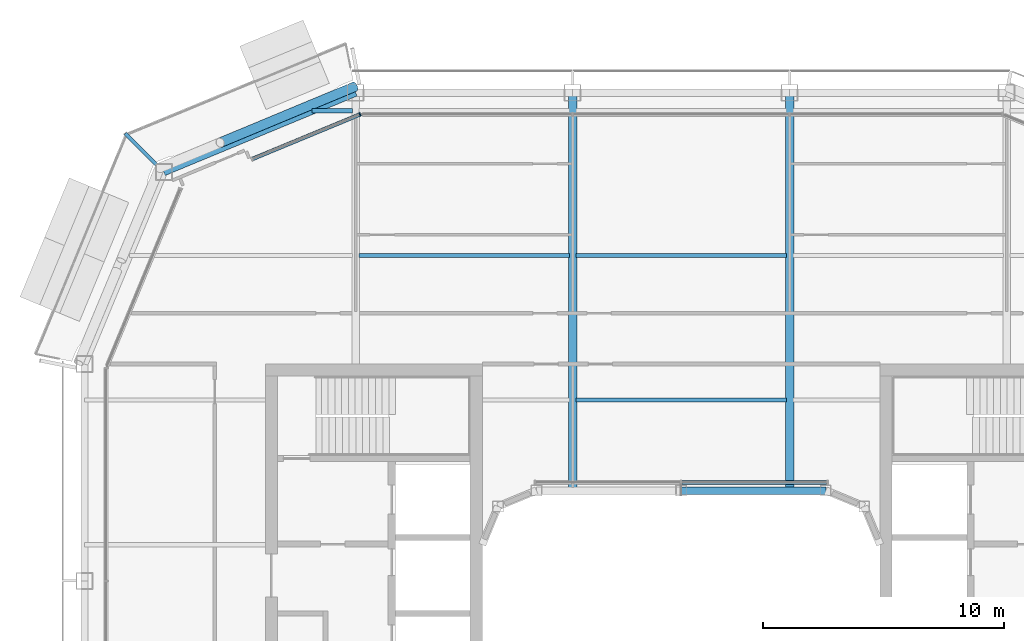
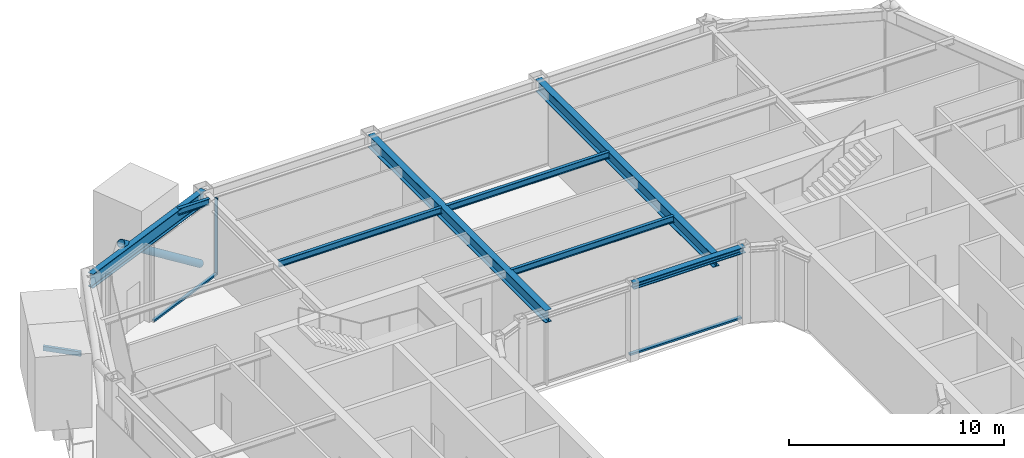
# One storey, part 8 of 22: 9 beams, 4 members, 2 elements without a shape of their own.
"""IFC4 building model written with IfcOpenShell, lengths in metres."""

from ifc_helpers import new_model, si_unit, direction, frame, origin, origin_2d, place, context, subcontext, project, spatial, rectangle, hollow_rectangle, hollow_circle, i_section, extrude, material, layer, layer_set, material_profile, profile_set, type_object, element, aggregate, save


model = new_model("IFC4")

# Units and contexts
model_context = context("Model", 3, precision=1e-05, world=origin(), true_north=direction((0.0, 1.0)))
body_context = subcontext(model_context, "Body", "Model", "MODEL_VIEW")
ifc_project = project(units=[si_unit("LENGTHUNIT", "METRE"), si_unit("AREAUNIT", "SQUARE_METRE"), si_unit("VOLUMEUNIT", "CUBIC_METRE"), si_unit("PLANEANGLEUNIT", "RADIAN"), si_unit("MASSUNIT", "GRAM", prefix="KILO")], contexts=[model_context])

# Site, building, storey
site_placement = place(None, origin())
site = spatial("IfcSite", under=ifc_project, at=site_placement, CompositionType="ELEMENT")
building_placement = place(site_placement, origin())
building = spatial("IfcBuilding", under=site, at=building_placement, Name="Siwar Civic Tower", CompositionType="ELEMENT")
storey_placement = place(building_placement, frame((0.0, 0.0, 330.199951171875)))
storey = spatial("IfcBuildingStorey", under=building, at=storey_placement, Name="L71", CompositionType="ELEMENT", Elevation=330.199951171875)

# Beam
ifc_material_1 = material(Name="Steel S355", Category="steel")
ifc_material_profile_1 = material_profile(ifc_material_1, hollow_rectangle(XDim=0.14990234375, YDim=0.25, WallThickness=0.010009765625, at=origin_2d()), Name="RHS250x150x10")
ifc_profile_set_1 = profile_set([ifc_material_profile_1], Name="Steel S355")
beam_type_1 = type_object("IfcBeamType", Name="ENV-BALCONY ARM", PredefinedType="BEAM", material=ifc_profile_set_1)
beam_1_placement = place(storey_placement, frame((-21.76953125, 21.76953125, -0.27490234375), z_axis=(-0.707106781187, 0.707106781187, 0.0), x_axis=(-0.707106781187, -0.707106781187, 0.0)))
element("IfcBeam", 1, at=beam_1_placement, inside=storey, type_object=beam_type_1, Name="Balcony cantilever beam NW 2", PredefinedType="BEAM", context=body_context, shape_type="SweptSolid", body=[
    extrude(hollow_rectangle(XDim=0.14990234375, YDim=0.25, WallThickness=0.010009765625, at=origin_2d()), origin(), (0.0, 0.0, 1.0), 1.828125),
])

# Curtain wall, members
ifc_material_2 = material(Name="Aluminium clad insulated panel", Category="aluminium")
ifc_layer_1 = layer(ifc_material_2, 0.159912109375)
ifc_layer_set_1 = layer_set([ifc_layer_1], Name="Aluminium clad insulated panel")
curtain_wall_type_1 = type_object("IfcCurtainWallType", Name="ENV-CW-DX", PredefinedType="NOTDEFINED", material=ifc_layer_set_1)
curtain_wall_1_placement = place(storey_placement, origin())
curtain_wall_1 = element("IfcCurtainWall", 2, at=curtain_wall_1_placement, inside=storey, type_object=curtain_wall_type_1, Name="Curtain wall D NW1", PredefinedType="NOTDEFINED")
ifc_material_3 = material(Name="Aluminium 6063-T6", Category="aluminium")
ifc_material_profile_2 = material_profile(ifc_material_3, rectangle(XDim=0.159912109375, YDim=0.06005859375, at=origin_2d()), Name="AL 160x60")
ifc_profile_set_2 = profile_set([ifc_material_profile_2], Name="Aluminium 6063-T6")
member_type_1 = type_object("IfcMemberType", Name="ENV-MULLION-D", PredefinedType="MULLION", material=ifc_profile_set_2)
member_1_placement = place(storey_placement, frame((-13.321044921875, 23.85009765625, 0.0), z_axis=(0.0, 0.0, 1.0), x_axis=(0.382683432365, -0.923879532511, 0.0)))
member_1 = element("IfcMember", 3, at=member_1_placement, type_object=member_type_1, Name="Mullion D NW1 1", PredefinedType="MULLION", context=body_context, shape_type="SweptSolid", body=[
    extrude(rectangle(XDim=0.159912109375, YDim=0.06005859375, at=origin_2d()), origin(), (0.0, 0.0, 1.0), 4.35009765625),
])
ifc_material_4 = material(Name="Aluminium 6063-T6", Category="aluminium")
ifc_material_profile_3 = material_profile(ifc_material_4, rectangle(XDim=0.159912109375, YDim=0.10009765625, at=origin_2d()), Name="AL 160x100")
ifc_profile_set_3 = profile_set([ifc_material_profile_3], Name="Aluminium 6063-T6")
member_type_2 = type_object("IfcMemberType", Name="ENV-TRANSOM-D", PredefinedType="USERDEFINED", material=ifc_profile_set_3)
member_2_placement = place(storey_placement, frame((-13.3486328125, 23.838623046875, 0.050048828125), z_axis=(-0.923877601363, -0.382688094537, 0.0), x_axis=(0.382688094537, -0.923877601363, 0.0)))
member_2 = element("IfcMember", 4, at=member_2_placement, type_object=member_type_2, Name="Transom D NW1 1", ObjectType="TRANSOM", PredefinedType="USERDEFINED", context=body_context, shape_type="SweptSolid", body=[
    extrude(rectangle(XDim=0.159912109375, YDim=0.10009765625, at=origin_2d()), origin(), (0.0, 0.0, 1.0), 4.787353515625),
])
aggregate(curtain_wall_1, [member_1, member_2])

# Curtain wall, member
ifc_material_5 = material(Name="Aluminium and glass", Category="aluminium")
ifc_layer_2 = layer(ifc_material_5, 0.179931640625)
ifc_layer_set_2 = layer_set([ifc_layer_2], Name="Aluminium and glass")
curtain_wall_type_2 = type_object("IfcCurtainWallType", Name="ENV-CW-W", PredefinedType="NOTDEFINED", material=ifc_layer_set_2)
curtain_wall_2_placement = place(storey_placement, origin())
curtain_wall_2 = element("IfcCurtainWall", 5, at=curtain_wall_2_placement, inside=storey, type_object=curtain_wall_type_2, Name="Curtain wall W WN", PredefinedType="NOTDEFINED")
ifc_material_6 = material(Name="Aluminium 6063-T6", Category="aluminium")
ifc_material_profile_4 = material_profile(ifc_material_6, rectangle(XDim=0.179931640625, YDim=0.10009765625, at=origin_2d()), Name="AL 180x100")
ifc_profile_set_4 = profile_set([ifc_material_profile_4], Name="Aluminium 6063-T6")
member_type_3 = type_object("IfcMemberType", Name="ENV-TRANSOM-W", PredefinedType="USERDEFINED", material=ifc_profile_set_4)
member_3_placement = place(storey_placement, frame((6.03662109375, 8.5849609375, 0.050048828125), z_axis=(-1.0, 0.0, 0.0), x_axis=(0.0, -1.0, 0.0)))
member_3 = element("IfcMember", 6, at=member_3_placement, type_object=member_type_3, Name="Transom W WN 1", ObjectType="TRANSOM", PredefinedType="USERDEFINED", context=body_context, shape_type="SweptSolid", body=[
    extrude(rectangle(XDim=0.179931640625, YDim=0.10009765625, at=origin_2d()), origin(), (0.0, 0.0, 1.0), 6.006591796875),
])
aggregate(curtain_wall_2, [member_3])

# Member
ifc_material_7 = material(Name="Steel S355", Category="steel")
ifc_material_profile_5 = material_profile(ifc_material_7, hollow_circle(Radius=0.203125, WallThickness=0.01611328125, at=origin_2d()), Name="CHS406.4x16")
ifc_profile_set_5 = profile_set([ifc_material_profile_5], Name="Steel S355")
member_type_4 = type_object("IfcMemberType", Name="STR-BR-CHS406.4x16", PredefinedType="BRACE", material=ifc_profile_set_5)
member_4_placement = place(storey_placement, frame((-13.548828125, 24.9951171875, 0.0), z_axis=(-0.739973158344, -0.307903068035, 0.598026275029), x_axis=(0.384169803352, -0.923262455747, 0.0)))
element("IfcMember", 7, at=member_4_placement, inside=storey, type_object=member_type_4, Name="L71/brc/DNW1-10-0-0", PredefinedType="BRACE", context=body_context, shape_type="SweptSolid", body=[
    extrude(hollow_circle(Radius=0.203125, WallThickness=0.01611328125, at=origin_2d()), origin(), (0.0, 0.0, 1.0), 7.524658203125),
])

# Beams
ifc_material_8 = material(Name="Steel S355", Category="steel")
ifc_material_profile_6 = material_profile(ifc_material_8, i_section(OverallWidth=0.169921875, OverallDepth=0.360107421875, WebThickness=0.008056640625, FlangeThickness=0.0126953125, FilletRadius=0.01806640625, at=origin_2d()), Name="IPE360")
ifc_profile_set_6 = profile_set([ifc_material_profile_6], Name="Steel S355")
beam_type_2 = type_object("IfcBeamType", Name="STR-FB-IPE360", PredefinedType="JOIST", material=ifc_profile_set_6)
for number, where, z_axis, x_axis, name in (
    (8, (-4.3701171875, 12.0, 4.170166015625), (1.0, 0.0, 0.0), (0.0, 1.0, 0.0), "L71/bm/F024"),
    (9, (-13.3701171875, 18.0, 4.170166015625), (1.0, 0.0, 0.0), (0.0, 1.0, 0.0), "L71/bm/F028"),
    (10, (-4.3701171875, 18.0, 4.170166015625), (1.0, 0.0, 0.0), (0.0, 1.0, 0.0), "L71/bm/F029"),
):
    element("IfcBeam", number, at=place(storey_placement, frame(where, z_axis=z_axis, x_axis=x_axis)), inside=storey, type_object=beam_type_2, Name=name, PredefinedType="JOIST", context=body_context, shape_type="SweptSolid", body=[
        extrude(i_section(OverallWidth=0.169921875, OverallDepth=0.360107421875, WebThickness=0.008056640625, FlangeThickness=0.0126953125, FilletRadius=0.01806640625, at=origin_2d()), origin(), (0.0, 0.0, 1.0), 8.740234375),
    ])
beam_2_placement = place(storey_placement, frame((-15.310546875, 24.0, 4.170166015625), z_axis=(1.0, 0.0, 0.0), x_axis=(0.0, 1.0, 0.0)))
element("IfcBeam", 11, at=beam_2_placement, inside=storey, type_object=beam_type_2, Name="L71/bm/F032", PredefinedType="JOIST", context=body_context, shape_type="SweptSolid", body=[
    extrude(i_section(OverallWidth=0.169921875, OverallDepth=0.360107421875, WebThickness=0.008056640625, FlangeThickness=0.0126953125, FilletRadius=0.01806640625, at=origin_2d()), origin(), (0.0, 0.0, 1.0), 1.6806640625),
])
ifc_material_9 = material(Name="Steel S355", Category="steel")
ifc_material_profile_7 = material_profile(ifc_material_9, i_section(OverallWidth=0.340087890625, OverallDepth=0.699951171875, WebThickness=0.013916015625, FlangeThickness=0.030029296875, at=origin_2d()), Name="PG700x340x14x30")
ifc_profile_set_7 = profile_set([ifc_material_profile_7], Name="Steel S355")
beam_type_3 = type_object("IfcBeamType", Name="STR-PG-PG700x340x14x30", PredefinedType="BEAM", material=ifc_profile_set_7)
for number, where, z_axis, x_axis, name in (
    (12, (-4.5, 8.25, 4.0), (0.0, 1.0, 0.0), (-1.0, 0.0, 0.0), "L71/bm/G04"),
    (13, (4.5, 8.25, 4.0), (0.0, 1.0, 0.0), (-1.0, 0.0, 0.0), "L71/bm/G06"),
):
    element("IfcBeam", number, at=place(storey_placement, frame(where, z_axis=z_axis, x_axis=x_axis)), inside=storey, type_object=beam_type_3, Name=name, PredefinedType="BEAM", context=body_context, shape_type="SweptSolid", body=[
        extrude(i_section(OverallWidth=0.340087890625, OverallDepth=0.699951171875, WebThickness=0.013916015625, FlangeThickness=0.030029296875, at=origin_2d()), origin(), (0.0, 0.0, 1.0), 16.5),
    ])
ifc_material_10 = material(Name="Steel S355", Category="steel")
ifc_material_profile_8 = material_profile(ifc_material_10, i_section(OverallWidth=0.31005859375, OverallDepth=0.340087890625, WebThickness=0.02099609375, FlangeThickness=0.0390625, FilletRadius=0.027099609375, at=origin_2d()), Name="HEM300")
ifc_profile_set_8 = profile_set([ifc_material_profile_8], Name="Steel S355")
beam_type_4 = type_object("IfcBeamType", Name="STR-RB-HEM300", PredefinedType="BEAM", material=ifc_profile_set_8)
beam_3_placement = place(storey_placement, frame((0.0, 8.25, 4.179931640625), z_axis=(1.0, 0.0, 0.0), x_axis=(0.0, 1.0, 0.0)))
element("IfcBeam", 14, at=beam_3_placement, inside=storey, type_object=beam_type_4, Name="L71/bm/RN2", PredefinedType="BEAM", context=body_context, shape_type="SweptSolid", body=[
    extrude(i_section(OverallWidth=0.31005859375, OverallDepth=0.340087890625, WebThickness=0.02099609375, FlangeThickness=0.0390625, FilletRadius=0.027099609375, at=origin_2d()), origin(), (0.0, 0.0, 1.0), 6.0),
])
ifc_material_11 = material(Name="Steel S355", Category="steel")
ifc_material_profile_9 = material_profile(ifc_material_11, i_section(OverallWidth=0.300048828125, OverallDepth=0.800048828125, WebThickness=0.017578125, FlangeThickness=0.032958984375, FilletRadius=0.030029296875, at=origin_2d()), Name="HEB800")
ifc_profile_set_9 = profile_set([ifc_material_profile_9], Name="Steel S355")
beam_type_5 = type_object("IfcBeamType", Name="STR-SB-HEB800", PredefinedType="BEAM", material=ifc_profile_set_9)
beam_4_placement = place(storey_placement, frame((-13.5, 24.75, 3.949951171875), z_axis=(-0.923872720536, -0.382699877515, 0.0), x_axis=(0.382699877515, -0.923872720536, 0.0)))
element("IfcBeam", 15, at=beam_4_placement, inside=storey, type_object=beam_type_5, Name="L71/bm/SNW1-0", PredefinedType="BEAM", context=body_context, shape_type="SweptSolid", body=[
    extrude(i_section(OverallWidth=0.300048828125, OverallDepth=0.800048828125, WebThickness=0.017578125, FlangeThickness=0.032958984375, FilletRadius=0.030029296875, at=origin_2d()), origin(), (0.0, 0.0, 1.0), 8.6103515625),
])

save(model, "model.ifc")
